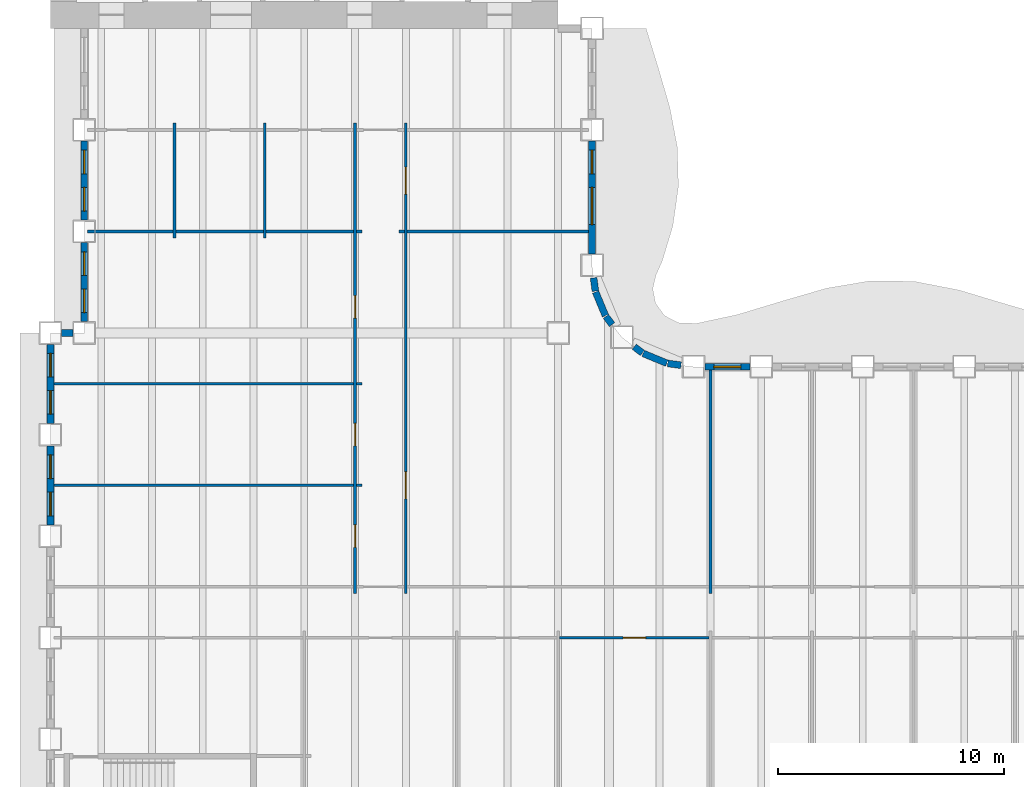
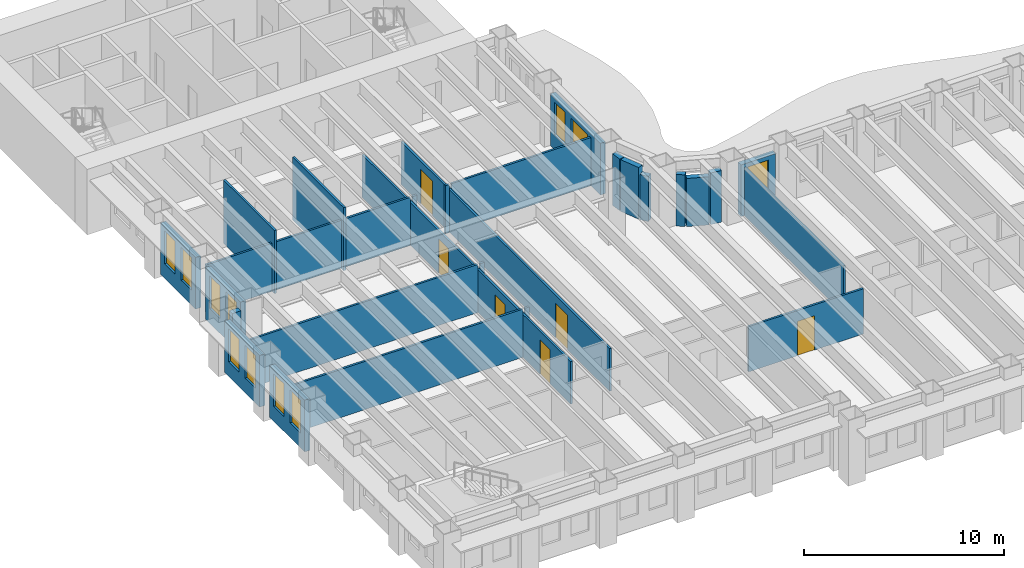
# One storey, part 4 of 16: 29 walls, 11 windows, 6 doors, 17 openings.
"""IFC4 building model written with IfcOpenShell, lengths in metres."""

from ifc_helpers import new_model, si_unit, direction, frame, frame_2d, origin, place, context, subcontext, project, spatial, rectangle, extrude, material, layer, layer_set, type_object, element, fill, save


model = new_model("IFC4")

# Units and contexts
model_context = context("Model", 3, precision=1e-05, world=origin(), true_north=direction((0.0, 1.0)))
body_context = subcontext(model_context, "Body", "Model", "MODEL_VIEW")
ifc_project = project(units=[si_unit("LENGTHUNIT", "METRE"), si_unit("AREAUNIT", "SQUARE_METRE"), si_unit("VOLUMEUNIT", "CUBIC_METRE"), si_unit("PLANEANGLEUNIT", "RADIAN"), si_unit("MASSUNIT", "GRAM", prefix="KILO")], contexts=[model_context])

# Site, building, storey
site_placement = place(None, origin())
site = spatial("IfcSite", under=ifc_project, at=site_placement, CompositionType="ELEMENT")
building_placement = place(site_placement, origin())
building = spatial("IfcBuilding", under=site, at=building_placement, Name="Sennacour Bend Tower", CompositionType="ELEMENT")
storey_placement = place(building_placement, frame((0.0, 0.0, 99.0)))
storey = spatial("IfcBuildingStorey", under=building, at=storey_placement, Name="L22", CompositionType="ELEMENT", Elevation=99.0)

# Walls
ifc_material_1 = material(Name="Plasterboard partition on steel studs", Category="steel")
ifc_layer_1 = layer(ifc_material_1, 0.1201171875, Name="Plasterboard partition on steel studs", Category="steel")
ifc_layer_set_1 = layer_set([ifc_layer_1], Name="Plasterboard partition on steel studs")
wall_type_1 = type_object("IfcWallType", Name="Partition 120", PredefinedType="PARTITIONING", material=ifc_layer_set_1)
for number, where, z_axis, x_axis, name in (
    (1, (5.5, 26.699951171875, 0.0), (0.0, 0.0, 1.0), (0.0, 1.0, 0.0), "P-L22-W007a"),
    (2, (9.5, 26.699951171875, 0.0), (0.0, 0.0, 1.0), (0.0, 1.0, 0.0), "P-L22-W011a"),
):
    element("IfcWall", number, at=place(storey_placement, frame(where, z_axis=z_axis, x_axis=x_axis)), inside=storey, type_object=wall_type_1, Name=name, PredefinedType="PARTITIONING", context=body_context, shape_type="SweptSolid", body=[
        extrude(rectangle(XDim=5.10009765625, YDim=0.1201171875, at=frame_2d((2.550048828125, 0.0))), origin(), (0.0, 0.0, 1.0), 3.85009765625),
    ])

# Wall, openings, doors
wall_1_placement = place(storey_placement, frame((13.5, 10.949951171875, 0.0), z_axis=(0.0, 0.0, 1.0), x_axis=(0.0, 1.0, 0.0)))
wall_1 = element("IfcWall", 3, at=wall_1_placement, inside=storey, type_object=wall_type_1, Name="P-L22-W014a", PredefinedType="PARTITIONING", context=body_context, shape_type="SweptSolid", body=[
    extrude(rectangle(XDim=20.85009765625, YDim=0.1201171875, at=frame_2d((10.425048828125, 0.0))), origin(), (0.0, 0.0, 1.0), 2.60009765625),
])
opening_1_placement = place(wall_1_placement, frame((2.050048828125, 0.0, 0.0)))
opening_1 = element("IfcOpeningElement", 4, at=opening_1_placement, cuts=wall_1, Name="Opening OD2", PredefinedType="OPENING", context=body_context, shape_type="SweptSolid", body=[
    extrude(rectangle(XDim=1.0, YDim=2.10009765625, at=frame_2d((0.5, 1.050048828125))), frame((0.0, 0.070068359375, 0.0), z_axis=(0.0, -1.0, 0.0), x_axis=(1.0, 0.0, 0.0)), (0.0, 0.0, 1.0), 0.14013671875),
])
opening_2_placement = place(wall_1_placement, frame((6.550048828125, 0.0, 0.0)))
opening_2 = element("IfcOpeningElement", 5, at=opening_2_placement, cuts=wall_1, Name="Opening OD2", PredefinedType="OPENING", context=body_context, shape_type="SweptSolid", body=[
    extrude(rectangle(XDim=1.0, YDim=2.10009765625, at=frame_2d((0.5, 1.050048828125))), frame((0.0, 0.070068359375, 0.0), z_axis=(0.0, -1.0, 0.0), x_axis=(1.0, 0.0, 0.0)), (0.0, 0.0, 1.0), 0.14013671875),
])
opening_3_placement = place(wall_1_placement, frame((12.205078125, 0.0, 0.0)))
opening_3 = element("IfcOpeningElement", 6, at=opening_3_placement, cuts=wall_1, Name="Opening OD2", PredefinedType="OPENING", context=body_context, shape_type="SweptSolid", body=[
    extrude(rectangle(XDim=1.0, YDim=2.10009765625, at=frame_2d((0.5, 1.050048828125))), frame((0.0, 0.070068359375, 0.0), z_axis=(0.0, -1.0, 0.0), x_axis=(1.0, 0.0, 0.0)), (0.0, 0.0, 1.0), 0.14013671875),
])
ifc_material_2 = material(Name="Timber", Category="wood")
door_type_1 = type_object("IfcDoorType", Name="DR-OFFICE-1000", OperationType="NOTDEFINED", PredefinedType="DOOR", material=ifc_material_2)
door_1_placement = place(opening_1_placement, origin())
door_1 = element("IfcDoor", 7, at=door_1_placement, inside=storey, type_object=door_type_1, Name="Door", OperationType="SINGLE_SWING_LEFT", OverallHeight=2.10009765625, OverallWidth=1.0, PredefinedType="DOOR", context=body_context, shape_type="SweptSolid", body=[
    extrude(rectangle(XDim=1.0, YDim=2.10009765625, at=frame_2d((0.5, 1.050048828125))), frame((0.0, 0.02490234375, 0.0), z_axis=(0.0, -1.0, 0.0), x_axis=(1.0, 0.0, 0.0)), (0.0, 0.0, 1.0), 0.050048828125),
])
fill(opening_1, door_1)
door_2_placement = place(opening_2_placement, origin())
door_2 = element("IfcDoor", 8, at=door_2_placement, inside=storey, type_object=door_type_1, Name="Door", OperationType="SINGLE_SWING_LEFT", OverallHeight=2.10009765625, OverallWidth=1.0, PredefinedType="DOOR", context=body_context, shape_type="SweptSolid", body=[
    extrude(rectangle(XDim=1.0, YDim=2.10009765625, at=frame_2d((0.5, 1.050048828125))), frame((0.0, 0.02490234375, 0.0), z_axis=(0.0, -1.0, 0.0), x_axis=(1.0, 0.0, 0.0)), (0.0, 0.0, 1.0), 0.050048828125),
])
fill(opening_2, door_2)
door_3_placement = place(opening_3_placement, origin())
door_3 = element("IfcDoor", 9, at=door_3_placement, inside=storey, type_object=door_type_1, Name="Door", OperationType="SINGLE_SWING_RIGHT", OverallHeight=2.10009765625, OverallWidth=1.0, PredefinedType="DOOR", context=body_context, shape_type="SweptSolid", body=[
    extrude(rectangle(XDim=1.0, YDim=2.10009765625, at=frame_2d((0.5, 1.050048828125))), frame((0.0, 0.02490234375, 0.0), z_axis=(0.0, -1.0, 0.0), x_axis=(1.0, 0.0, 0.0)), (0.0, 0.0, 1.0), 0.050048828125),
])
fill(opening_3, door_3)

wall_2_placement = place(storey_placement, frame((15.75, 10.949951171875, 0.0), z_axis=(0.0, 0.0, 1.0), x_axis=(0.0, 1.0, 0.0)))
wall_2 = element("IfcWall", 10, at=wall_2_placement, inside=storey, type_object=wall_type_1, Name="P-L22-W018a", PredefinedType="PARTITIONING", context=body_context, shape_type="SweptSolid", body=[
    extrude(rectangle(XDim=20.85009765625, YDim=0.1201171875, at=frame_2d((10.425048828125, 0.0))), origin(), (0.0, 0.0, 1.0), 2.60009765625),
])
opening_4_placement = place(wall_2_placement, frame((17.699951171875, 0.0, 0.0)))
opening_4 = element("IfcOpeningElement", 11, at=opening_4_placement, cuts=wall_2, Name="Opening MD", PredefinedType="OPENING", context=body_context, shape_type="SweptSolid", body=[
    extrude(rectangle(XDim=1.199951171875, YDim=2.10009765625, at=frame_2d((0.60009765625, 1.050048828125))), frame((0.0, 0.070068359375, 0.0), z_axis=(0.0, -1.0, 0.0), x_axis=(1.0, 0.0, 0.0)), (0.0, 0.0, 1.0), 0.14013671875),
])
opening_5_placement = place(wall_2_placement, frame((4.199951171875, 0.0, 0.0)))
opening_5 = element("IfcOpeningElement", 12, at=opening_5_placement, cuts=wall_2, Name="Opening OD", PredefinedType="OPENING", context=body_context, shape_type="SweptSolid", body=[
    extrude(rectangle(XDim=1.199951171875, YDim=2.10009765625, at=frame_2d((0.60009765625, 1.050048828125))), frame((0.0, 0.070068359375, 0.0), z_axis=(0.0, -1.0, 0.0), x_axis=(1.0, 0.0, 0.0)), (0.0, 0.0, 1.0), 0.14013671875),
])
door_type_2 = type_object("IfcDoorType", Name="DR-MEETING-1200", OperationType="NOTDEFINED", PredefinedType="DOOR", material=ifc_material_2)
door_4_placement = place(opening_4_placement, origin())
door_4 = element("IfcDoor", 13, at=door_4_placement, inside=storey, type_object=door_type_2, Name="Door", OperationType="SINGLE_SWING_RIGHT", OverallHeight=2.10009765625, OverallWidth=1.199951171875, PredefinedType="DOOR", context=body_context, shape_type="SweptSolid", body=[
    extrude(rectangle(XDim=1.199951171875, YDim=2.10009765625, at=frame_2d((0.60009765625, 1.050048828125))), frame((0.0, 0.02490234375, 0.0), z_axis=(0.0, -1.0, 0.0), x_axis=(1.0, 0.0, 0.0)), (0.0, 0.0, 1.0), 0.050048828125),
])
fill(opening_4, door_4)
door_type_3 = type_object("IfcDoorType", Name="DR-OFFICE-1200", OperationType="NOTDEFINED", PredefinedType="DOOR", material=ifc_material_2)
door_5_placement = place(opening_5_placement, origin())
door_5 = element("IfcDoor", 14, at=door_5_placement, inside=storey, type_object=door_type_3, Name="Door", OperationType="SINGLE_SWING_LEFT", OverallHeight=2.10009765625, OverallWidth=1.199951171875, PredefinedType="DOOR", context=body_context, shape_type="SweptSolid", body=[
    extrude(rectangle(XDim=1.199951171875, YDim=2.10009765625, at=frame_2d((0.60009765625, 1.050048828125))), frame((0.0, 0.02490234375, 0.0), z_axis=(0.0, -1.0, 0.0), x_axis=(1.0, 0.0, 0.0)), (0.0, 0.0, 1.0), 0.050048828125),
])
fill(opening_5, door_5)

# Wall
wall_3_placement = place(storey_placement, frame((29.25, 10.949951171875, 0.0), z_axis=(0.0, 0.0, 1.0), x_axis=(0.0, 1.0, 0.0)))
element("IfcWall", 15, at=wall_3_placement, inside=storey, type_object=wall_type_1, Name="P-L22-W026a", PredefinedType="PARTITIONING", context=body_context, shape_type="SweptSolid", body=[
    extrude(rectangle(XDim=9.900146484375, YDim=0.1201171875, at=frame_2d((4.9501953125, 0.0))), origin(), (0.0, 0.0, 1.0), 2.93798828125),
])

# Wall, opening, door
wall_4_placement = place(storey_placement, frame((22.56005859375, 9.0, 0.0), z_axis=(0.0, 0.0, 1.0), x_axis=(1.0, 0.0, 0.0)))
wall_4 = element("IfcWall", 16, at=wall_4_placement, inside=storey, type_object=wall_type_1, Name="P-L22-W058ad", PredefinedType="PARTITIONING", context=body_context, shape_type="SweptSolid", body=[
    extrude(rectangle(XDim=6.6298828125, YDim=0.1201171875, at=frame_2d((3.31494140625, 0.0))), origin(), (0.0, 0.0, 1.0), 2.760009765625),
])
opening_6_placement = place(wall_4_placement, frame((2.81494140625, 0.0, 0.0)))
opening_6 = element("IfcOpeningElement", 17, at=opening_6_placement, cuts=wall_4, Name="Opening OD2", PredefinedType="OPENING", context=body_context, shape_type="SweptSolid", body=[
    extrude(rectangle(XDim=1.0, YDim=2.10009765625, at=frame_2d((0.5, 1.050048828125))), frame((0.0, 0.070068359375, 0.0), z_axis=(0.0, -1.0, 0.0), x_axis=(1.0, 0.0, 0.0)), (0.0, 0.0, 1.0), 0.14013671875),
])
door_6_placement = place(opening_6_placement, origin())
door_6 = element("IfcDoor", 18, at=door_6_placement, inside=storey, type_object=door_type_1, Name="Door", OperationType="SINGLE_SWING_LEFT", OverallHeight=2.10009765625, OverallWidth=1.0, PredefinedType="DOOR", context=body_context, shape_type="SweptSolid", body=[
    extrude(rectangle(XDim=1.0, YDim=2.10009765625, at=frame_2d((0.5, 1.050048828125))), frame((0.0, 0.02490234375, 0.0), z_axis=(0.0, -1.0, 0.0), x_axis=(1.0, 0.0, 0.0)), (0.0, 0.0, 1.0), 0.050048828125),
])
fill(opening_6, door_6)

# Walls
wall_5_placement = place(storey_placement, frame((0.14990234375, 15.75, 0.0), z_axis=(0.0, 0.0, 1.0), x_axis=(1.0, 0.0, 0.0)))
element("IfcWall", 19, at=wall_5_placement, inside=storey, type_object=wall_type_1, Name="P-L22-W066aa", PredefinedType="PARTITIONING", context=body_context, shape_type="SweptSolid", body=[
    extrude(rectangle(XDim=13.2900390625, YDim=0.1201171875, at=frame_2d((6.64501953125, 0.0))), origin(), (0.0, 0.0, 1.0), 2.93798828125),
])
wall_6_placement = place(storey_placement, frame((13.56005859375, 15.75, 0.0), z_axis=(0.0, 0.0, 1.0), x_axis=(1.0, 0.0, 0.0)))
element("IfcWall", 20, at=wall_6_placement, inside=storey, type_object=wall_type_1, Name="P-L22-W066ab", PredefinedType="PARTITIONING", context=body_context, shape_type="SweptSolid", body=[
    extrude(rectangle(XDim=0.239990234375, YDim=0.1201171875, at=frame_2d((0.1201171875, 0.0))), origin(), (0.0, 0.0, 1.0), 2.93798828125),
])
wall_7_placement = place(storey_placement, frame((0.14990234375, 20.25, 0.0), z_axis=(0.0, 0.0, 1.0), x_axis=(1.0, 0.0, 0.0)))
element("IfcWall", 21, at=wall_7_placement, inside=storey, type_object=wall_type_1, Name="P-L22-W071aa", PredefinedType="PARTITIONING", context=body_context, shape_type="SweptSolid", body=[
    extrude(rectangle(XDim=13.2900390625, YDim=0.1201171875, at=frame_2d((6.64501953125, 0.0))), origin(), (0.0, 0.0, 1.0), 2.93798828125),
])
wall_8_placement = place(storey_placement, frame((13.56005859375, 20.25, 0.0), z_axis=(0.0, 0.0, 1.0), x_axis=(1.0, 0.0, 0.0)))
element("IfcWall", 22, at=wall_8_placement, inside=storey, type_object=wall_type_1, Name="P-L22-W071ab", PredefinedType="PARTITIONING", context=body_context, shape_type="SweptSolid", body=[
    extrude(rectangle(XDim=0.239990234375, YDim=0.1201171875, at=frame_2d((0.1201171875, 0.0))), origin(), (0.0, 0.0, 1.0), 2.93798828125),
])
wall_9_placement = place(storey_placement, frame((1.64990234375, 27.0, 0.0), z_axis=(0.0, 0.0, 1.0), x_axis=(1.0, 0.0, 0.0)))
element("IfcWall", 23, at=wall_9_placement, inside=storey, type_object=wall_type_1, Name="P-L22-W074aa", PredefinedType="PARTITIONING", context=body_context, shape_type="SweptSolid", body=[
    extrude(rectangle(XDim=3.7900390625, YDim=0.1201171875, at=frame_2d((1.89501953125, 0.0))), origin(), (0.0, 0.0, 1.0), 2.93798828125),
])
for number, where, z_axis, x_axis, name in (
    (24, (5.56005859375, 27.0, 0.0), (0.0, 0.0, 1.0), (1.0, 0.0, 0.0), "P-L22-W074ab"),
    (25, (9.56005859375, 27.0, 0.0), (0.0, 0.0, 1.0), (1.0, 0.0, 0.0), "P-L22-W074ac"),
):
    element("IfcWall", number, at=place(storey_placement, frame(where, z_axis=z_axis, x_axis=x_axis)), inside=storey, type_object=wall_type_1, Name=name, PredefinedType="PARTITIONING", context=body_context, shape_type="SweptSolid", body=[
        extrude(rectangle(XDim=3.8798828125, YDim=0.1201171875, at=frame_2d((1.93994140625, 0.0))), origin(), (0.0, 0.0, 1.0), 2.93798828125),
    ])
for number, where, z_axis, x_axis, name in (
    (26, (13.56005859375, 27.0, 0.0), (0.0, 0.0, 1.0), (1.0, 0.0, 0.0), "P-L22-W074ad"),
    (27, (15.449951171875, 27.0, 0.0), (0.0, 0.0, 1.0), (1.0, 0.0, 0.0), "P-L22-W075aa"),
):
    element("IfcWall", number, at=place(storey_placement, frame(where, z_axis=z_axis, x_axis=x_axis)), inside=storey, type_object=wall_type_1, Name=name, PredefinedType="PARTITIONING", context=body_context, shape_type="SweptSolid", body=[
        extrude(rectangle(XDim=0.239990234375, YDim=0.1201171875, at=frame_2d((0.1201171875, 0.0))), origin(), (0.0, 0.0, 1.0), 2.93798828125),
    ])
wall_10_placement = place(storey_placement, frame((15.81005859375, 27.0, 0.0), z_axis=(0.0, 0.0, 1.0), x_axis=(1.0, 0.0, 0.0)))
element("IfcWall", 28, at=wall_10_placement, inside=storey, type_object=wall_type_1, Name="P-L22-W075ab", PredefinedType="PARTITIONING", context=body_context, shape_type="SweptSolid", body=[
    extrude(rectangle(XDim=8.0400390625, YDim=0.1201171875, at=frame_2d((4.02001953125, 0.0))), origin(), (0.0, 0.0, 1.0), 2.93798828125),
])

# Wall, opening, window
ifc_material_3 = material(Name="Warm limestone cladding", Category="masonry")
ifc_layer_2 = layer(ifc_material_3, 0.050048828125, Name="Warm limestone cladding", Category="masonry")
ifc_material_4 = material(Name="Precast concrete C40/50", Category="concrete")
ifc_layer_3 = layer(ifc_material_4, 0.25, Name="Precast concrete C40/50", Category="concrete")
ifc_layer_set_2 = layer_set([ifc_layer_2, ifc_layer_3], Name="Precast concrete C40/50 with limestone cladding")
wall_type_2 = type_object("IfcWallType", Name="STONE-CLAD PRECAST SPANDREL 300", PredefinedType="STANDARD", material=ifc_layer_set_2)
wall_11_placement = place(storey_placement, frame((31.0, 21.0, 0.0), z_axis=(0.0, 0.0, 1.0), x_axis=(-1.0, 0.0, 0.0)))
wall_11 = element("IfcWall", 29, at=wall_11_placement, inside=storey, type_object=wall_type_2, Name="Stone spandrel and pier wall L22 06.05", PredefinedType="STANDARD", context=body_context, shape_type="SweptSolid", body=[
    extrude(rectangle(XDim=2.0, YDim=0.300048828125, at=frame_2d((1.0, 0.0))), origin(), (0.0, 0.0, 1.0), 3.154052734375),
])
opening_7_placement = place(wall_11_placement, frame((0.39990234375, 0.0, 0.89990234375)))
opening_7 = element("IfcOpeningElement", 30, at=opening_7_placement, cuts=wall_11, Name="Opening W14", PredefinedType="OPENING", context=body_context, shape_type="SweptSolid", body=[
    extrude(rectangle(XDim=1.199951171875, YDim=2.0, at=frame_2d((0.60009765625, 1.0))), frame((0.0, 0.16015625, 0.0), z_axis=(0.0, -1.0, 0.0), x_axis=(1.0, 0.0, 0.0)), (0.0, 0.0, 1.0), 0.320068359375),
])
ifc_material_5 = material(Name="Clear low-emissivity glass", Category="glass")
window_type_1 = type_object("IfcWindowType", Name="WIN-RIBBON-1200x2000", PartitioningType="SINGLE_PANEL", PredefinedType="WINDOW", material=ifc_material_5)
window_1_placement = place(opening_7_placement, origin())
window_1 = element("IfcWindow", 31, at=window_1_placement, inside=storey, type_object=window_type_1, Name="Ribbon window L22 06.05", OverallHeight=2.0, OverallWidth=1.199951171875, PartitioningType="SINGLE_PANEL", PredefinedType="WINDOW", context=body_context, shape_type="SweptSolid", body=[
    extrude(rectangle(XDim=1.199951171875, YDim=2.0, at=frame_2d((0.60009765625, 1.0))), frame((0.0, 0.030029296875, 0.0), z_axis=(0.0, -1.0, 0.0), x_axis=(1.0, 0.0, 0.0)), (0.0, 0.0, 1.0), 0.06005859375),
])
fill(opening_7, window_1)

# Walls
wall_12_placement = place(storey_placement, frame((27.94384765625, 21.0732421875, 0.0), z_axis=(0.0, 0.0, 1.0), x_axis=(-0.991420685839, 0.130709692412, 0.0)))
element("IfcWall", 32, at=wall_12_placement, inside=storey, type_object=wall_type_2, Name="Stone spandrel and pier wall L22 07.00", PredefinedType="STANDARD", context=body_context, shape_type="SweptSolid", body=[
    extrude(rectangle(XDim=0.593994140625, YDim=0.300048828125, at=frame_2d((0.296875, 0.0))), origin(), (0.0, 0.0, 1.0), 3.154052734375),
])
wall_13_placement = place(storey_placement, frame((27.317138671875, 21.160888671875, 0.0), z_axis=(0.0, 0.0, 1.0), x_axis=(-0.923914616768, 0.382598720491, 0.0)))
element("IfcWall", 33, at=wall_13_placement, inside=storey, type_object=wall_type_2, Name="Stone spandrel and pier wall L22 08.00", PredefinedType="STANDARD", context=body_context, shape_type="SweptSolid", body=[
    extrude(rectangle(XDim=1.13525390625, YDim=0.300048828125, at=frame_2d((0.567626953125, 0.0))), origin(), (0.0, 0.0, 1.0), 2.93798828125),
])
wall_14_placement = place(storey_placement, frame((26.234375, 21.614990234375, 0.0), z_axis=(0.0, 0.0, 1.0), x_axis=(-0.793563062559, 0.608488016104, 0.0)))
element("IfcWall", 34, at=wall_14_placement, inside=storey, type_object=wall_type_2, Name="Stone spandrel and pier wall L22 09.00", PredefinedType="STANDARD", context=body_context, shape_type="SweptSolid", body=[
    extrude(rectangle(XDim=0.453857421875, YDim=0.300048828125, at=frame_2d((0.22705078125, 0.0))), origin(), (0.0, 0.0, 1.0), 3.154052734375),
])
wall_15_placement = place(storey_placement, frame((24.89111328125, 22.874267578125, 0.0), z_axis=(0.0, 0.0, 1.0), x_axis=(-0.608488016104, 0.793563062559, 0.0)))
element("IfcWall", 35, at=wall_15_placement, inside=storey, type_object=wall_type_2, Name="Stone spandrel and pier wall L22 10.00", PredefinedType="STANDARD", context=body_context, shape_type="SweptSolid", body=[
    extrude(rectangle(XDim=0.453857421875, YDim=0.300048828125, at=frame_2d((0.22705078125, 0.0))), origin(), (0.0, 0.0, 1.0), 2.760009765625),
])
wall_16_placement = place(storey_placement, frame((24.59521484375, 23.268310546875, 0.0), z_axis=(0.0, 0.0, 1.0), x_axis=(-0.382598720491, 0.923914616768, 0.0)))
element("IfcWall", 36, at=wall_16_placement, inside=storey, type_object=wall_type_2, Name="Stone spandrel and pier wall L22 11.00", PredefinedType="STANDARD", context=body_context, shape_type="SweptSolid", body=[
    extrude(rectangle(XDim=1.13525390625, YDim=0.300048828125, at=frame_2d((0.567626953125, 0.0))), origin(), (0.0, 0.0, 1.0), 3.154052734375),
])
wall_17_placement = place(storey_placement, frame((24.15087890625, 24.35498046875, 0.0), z_axis=(0.0, 0.0, 1.0), x_axis=(-0.130709692412, 0.991420685839, 0.0)))
element("IfcWall", 37, at=wall_17_placement, inside=storey, type_object=wall_type_2, Name="Stone spandrel and pier wall L22 12.00", PredefinedType="STANDARD", context=body_context, shape_type="SweptSolid", body=[
    extrude(rectangle(XDim=0.593994140625, YDim=0.300048828125, at=frame_2d((0.296875, 0.0))), origin(), (0.0, 0.0, 1.0), 3.154052734375),
])

# Wall, openings, windows
wall_18_placement = place(storey_placement, frame((24.0, 26.0, 0.0), z_axis=(0.0, 0.0, 1.0), x_axis=(0.0, 1.0, 0.0)))
wall_18 = element("IfcWall", 38, at=wall_18_placement, inside=storey, type_object=wall_type_2, Name="Stone spandrel and pier wall L22 13.00", PredefinedType="STANDARD", context=body_context, shape_type="SweptSolid", body=[
    extrude(rectangle(XDim=5.0, YDim=0.300048828125, at=frame_2d((2.5, 0.0))), origin(), (0.0, 0.0, 1.0), 3.154052734375),
])
opening_8_placement = place(wall_18_placement, frame((1.300048828125, 0.0, 0.89990234375)))
opening_8 = element("IfcOpeningElement", 39, at=opening_8_placement, cuts=wall_18, Name="Opening W10", PredefinedType="OPENING", context=body_context, shape_type="SweptSolid", body=[
    extrude(rectangle(XDim=1.64990234375, YDim=2.0, at=frame_2d((0.824951171875, 1.0))), frame((0.0, 0.16015625, 0.0), z_axis=(0.0, -1.0, 0.0), x_axis=(1.0, 0.0, 0.0)), (0.0, 0.0, 1.0), 0.320068359375),
])
opening_9_placement = place(wall_18_placement, frame((3.550048828125, 0.0, 0.89990234375)))
opening_9 = element("IfcOpeningElement", 40, at=opening_9_placement, cuts=wall_18, Name="Opening W13", PredefinedType="OPENING", context=body_context, shape_type="SweptSolid", body=[
    extrude(rectangle(XDim=1.050048828125, YDim=2.0, at=frame_2d((0.52490234375, 1.0))), frame((0.0, 0.16015625, 0.0), z_axis=(0.0, -1.0, 0.0), x_axis=(1.0, 0.0, 0.0)), (0.0, 0.0, 1.0), 0.320068359375),
])
window_type_2 = type_object("IfcWindowType", Name="WIN-RIBBON-1050x2000", PartitioningType="SINGLE_PANEL", PredefinedType="WINDOW", material=ifc_material_5)
window_2_placement = place(opening_9_placement, origin())
window_2 = element("IfcWindow", 41, at=window_2_placement, inside=storey, type_object=window_type_2, Name="Ribbon window L22 13.00.1", OverallHeight=2.0, OverallWidth=1.050048828125, PartitioningType="SINGLE_PANEL", PredefinedType="WINDOW", context=body_context, shape_type="SweptSolid", body=[
    extrude(rectangle(XDim=1.050048828125, YDim=2.0, at=frame_2d((0.52490234375, 1.0))), frame((0.0, 0.030029296875, 0.0), z_axis=(0.0, -1.0, 0.0), x_axis=(1.0, 0.0, 0.0)), (0.0, 0.0, 1.0), 0.06005859375),
])
fill(opening_9, window_2)
window_type_3 = type_object("IfcWindowType", Name="WIN-RIBBON-1650x2000", PartitioningType="SINGLE_PANEL", PredefinedType="WINDOW", material=ifc_material_5)
window_3_placement = place(opening_8_placement, origin())
window_3 = element("IfcWindow", 42, at=window_3_placement, inside=storey, type_object=window_type_3, Name="Ribbon window L22 13.00.0", OverallHeight=2.0, OverallWidth=1.64990234375, PartitioningType="SINGLE_PANEL", PredefinedType="WINDOW", context=body_context, shape_type="SweptSolid", body=[
    extrude(rectangle(XDim=1.64990234375, YDim=2.0, at=frame_2d((0.824951171875, 1.0))), frame((0.0, 0.030029296875, 0.0), z_axis=(0.0, -1.0, 0.0), x_axis=(1.0, 0.0, 0.0)), (0.0, 0.0, 1.0), 0.06005859375),
])
fill(opening_8, window_3)

wall_19_placement = place(storey_placement, frame((1.5, 31.0, 0.0), z_axis=(0.0, 0.0, 1.0), x_axis=(0.0, -1.0, 0.0)))
wall_19 = element("IfcWall", 43, at=wall_19_placement, inside=storey, type_object=wall_type_2, Name="Stone spandrel and pier wall L22 19.01", PredefinedType="STANDARD", context=body_context, shape_type="SweptSolid", body=[
    extrude(rectangle(XDim=3.5, YDim=0.300048828125, at=frame_2d((1.75, 0.0))), origin(), (0.0, 0.0, 1.0), 3.154052734375),
])
opening_10_placement = place(wall_19_placement, frame((0.39990234375, 0.0, 0.89990234375)))
opening_10 = element("IfcOpeningElement", 44, at=opening_10_placement, cuts=wall_19, Name="Opening W13", PredefinedType="OPENING", context=body_context, shape_type="SweptSolid", body=[
    extrude(rectangle(XDim=1.050048828125, YDim=2.0, at=frame_2d((0.52490234375, 1.0))), frame((0.0, 0.16015625, 0.0), z_axis=(0.0, -1.0, 0.0), x_axis=(1.0, 0.0, 0.0)), (0.0, 0.0, 1.0), 0.320068359375),
])
opening_11_placement = place(wall_19_placement, frame((2.050048828125, 0.0, 0.89990234375)))
opening_11 = element("IfcOpeningElement", 45, at=opening_11_placement, cuts=wall_19, Name="Opening W13", PredefinedType="OPENING", context=body_context, shape_type="SweptSolid", body=[
    extrude(rectangle(XDim=1.050048828125, YDim=2.0, at=frame_2d((0.52490234375, 1.0))), frame((0.0, 0.16015625, 0.0), z_axis=(0.0, -1.0, 0.0), x_axis=(1.0, 0.0, 0.0)), (0.0, 0.0, 1.0), 0.320068359375),
])
window_4_placement = place(opening_10_placement, origin())
window_4 = element("IfcWindow", 46, at=window_4_placement, inside=storey, type_object=window_type_2, Name="Ribbon window L22 19.01.0", OverallHeight=2.0, OverallWidth=1.050048828125, PartitioningType="SINGLE_PANEL", PredefinedType="WINDOW", context=body_context, shape_type="SweptSolid", body=[
    extrude(rectangle(XDim=1.050048828125, YDim=2.0, at=frame_2d((0.52490234375, 1.0))), frame((0.0, 0.030029296875, 0.0), z_axis=(0.0, -1.0, 0.0), x_axis=(1.0, 0.0, 0.0)), (0.0, 0.0, 1.0), 0.06005859375),
])
fill(opening_10, window_4)
window_5_placement = place(opening_11_placement, origin())
window_5 = element("IfcWindow", 47, at=window_5_placement, inside=storey, type_object=window_type_2, Name="Ribbon window L22 19.01.1", OverallHeight=2.0, OverallWidth=1.050048828125, PartitioningType="SINGLE_PANEL", PredefinedType="WINDOW", context=body_context, shape_type="SweptSolid", body=[
    extrude(rectangle(XDim=1.050048828125, YDim=2.0, at=frame_2d((0.52490234375, 1.0))), frame((0.0, 0.030029296875, 0.0), z_axis=(0.0, -1.0, 0.0), x_axis=(1.0, 0.0, 0.0)), (0.0, 0.0, 1.0), 0.06005859375),
])
fill(opening_11, window_5)

wall_20_placement = place(storey_placement, frame((1.5, 26.5, 0.0), z_axis=(0.0, 0.0, 1.0), x_axis=(0.0, -1.0, 0.0)))
wall_20 = element("IfcWall", 48, at=wall_20_placement, inside=storey, type_object=wall_type_2, Name="Stone spandrel and pier wall L22 19.02", PredefinedType="STANDARD", context=body_context, shape_type="SweptSolid", body=[
    extrude(rectangle(XDim=3.5, YDim=0.300048828125, at=frame_2d((1.75, 0.0))), origin(), (0.0, 0.0, 1.0), 3.154052734375),
])
opening_12_placement = place(wall_20_placement, frame((0.39990234375, 0.0, 0.89990234375)))
opening_12 = element("IfcOpeningElement", 49, at=opening_12_placement, cuts=wall_20, Name="Opening W13", PredefinedType="OPENING", context=body_context, shape_type="SweptSolid", body=[
    extrude(rectangle(XDim=1.050048828125, YDim=2.0, at=frame_2d((0.52490234375, 1.0))), frame((0.0, 0.16015625, 0.0), z_axis=(0.0, -1.0, 0.0), x_axis=(1.0, 0.0, 0.0)), (0.0, 0.0, 1.0), 0.320068359375),
])
opening_13_placement = place(wall_20_placement, frame((2.050048828125, 0.0, 0.89990234375)))
opening_13 = element("IfcOpeningElement", 50, at=opening_13_placement, cuts=wall_20, Name="Opening W13", PredefinedType="OPENING", context=body_context, shape_type="SweptSolid", body=[
    extrude(rectangle(XDim=1.050048828125, YDim=2.0, at=frame_2d((0.52490234375, 1.0))), frame((0.0, 0.16015625, 0.0), z_axis=(0.0, -1.0, 0.0), x_axis=(1.0, 0.0, 0.0)), (0.0, 0.0, 1.0), 0.320068359375),
])
window_6_placement = place(opening_12_placement, origin())
window_6 = element("IfcWindow", 51, at=window_6_placement, inside=storey, type_object=window_type_2, Name="Ribbon window L22 19.02.0", OverallHeight=2.0, OverallWidth=1.050048828125, PartitioningType="SINGLE_PANEL", PredefinedType="WINDOW", context=body_context, shape_type="SweptSolid", body=[
    extrude(rectangle(XDim=1.050048828125, YDim=2.0, at=frame_2d((0.52490234375, 1.0))), frame((0.0, 0.030029296875, 0.0), z_axis=(0.0, -1.0, 0.0), x_axis=(1.0, 0.0, 0.0)), (0.0, 0.0, 1.0), 0.06005859375),
])
fill(opening_12, window_6)
window_7_placement = place(opening_13_placement, origin())
window_7 = element("IfcWindow", 52, at=window_7_placement, inside=storey, type_object=window_type_2, Name="Ribbon window L22 19.02.1", OverallHeight=2.0, OverallWidth=1.050048828125, PartitioningType="SINGLE_PANEL", PredefinedType="WINDOW", context=body_context, shape_type="SweptSolid", body=[
    extrude(rectangle(XDim=1.050048828125, YDim=2.0, at=frame_2d((0.52490234375, 1.0))), frame((0.0, 0.030029296875, 0.0), z_axis=(0.0, -1.0, 0.0), x_axis=(1.0, 0.0, 0.0)), (0.0, 0.0, 1.0), 0.06005859375),
])
fill(opening_13, window_7)

# Wall
wall_21_placement = place(storey_placement, frame((1.0, 22.5, 0.0), z_axis=(0.0, 0.0, 1.0), x_axis=(-1.0, 0.0, 0.0)))
element("IfcWall", 53, at=wall_21_placement, inside=storey, type_object=wall_type_2, Name="Stone spandrel and pier wall L22 20.00", PredefinedType="STANDARD", context=body_context, shape_type="SweptSolid", body=[
    extrude(rectangle(XDim=0.5, YDim=0.300048828125, at=frame_2d((0.25, 0.0))), origin(), (0.0, 0.0, 1.0), 3.154052734375),
])

# Wall, openings, windows
wall_22_placement = place(storey_placement, frame((0.0, 22.0, 0.0), z_axis=(0.0, 0.0, 1.0), x_axis=(0.0, -1.0, 0.0)))
wall_22 = element("IfcWall", 54, at=wall_22_placement, inside=storey, type_object=wall_type_2, Name="Stone spandrel and pier wall L22 21.00", PredefinedType="STANDARD", context=body_context, shape_type="SweptSolid", body=[
    extrude(rectangle(XDim=3.5, YDim=0.300048828125, at=frame_2d((1.75, 0.0))), origin(), (0.0, 0.0, 1.0), 3.154052734375),
])
opening_14_placement = place(wall_22_placement, frame((0.39990234375, 0.0, 0.89990234375)))
opening_14 = element("IfcOpeningElement", 55, at=opening_14_placement, cuts=wall_22, Name="Opening W13", PredefinedType="OPENING", context=body_context, shape_type="SweptSolid", body=[
    extrude(rectangle(XDim=1.050048828125, YDim=2.0, at=frame_2d((0.52490234375, 1.0))), frame((0.0, 0.16015625, 0.0), z_axis=(0.0, -1.0, 0.0), x_axis=(1.0, 0.0, 0.0)), (0.0, 0.0, 1.0), 0.320068359375),
])
opening_15_placement = place(wall_22_placement, frame((2.050048828125, 0.0, 0.89990234375)))
opening_15 = element("IfcOpeningElement", 56, at=opening_15_placement, cuts=wall_22, Name="Opening W13", PredefinedType="OPENING", context=body_context, shape_type="SweptSolid", body=[
    extrude(rectangle(XDim=1.050048828125, YDim=2.0, at=frame_2d((0.52490234375, 1.0))), frame((0.0, 0.16015625, 0.0), z_axis=(0.0, -1.0, 0.0), x_axis=(1.0, 0.0, 0.0)), (0.0, 0.0, 1.0), 0.320068359375),
])
window_8_placement = place(opening_14_placement, origin())
window_8 = element("IfcWindow", 57, at=window_8_placement, inside=storey, type_object=window_type_2, Name="Ribbon window L22 21.00.0", OverallHeight=2.0, OverallWidth=1.050048828125, PartitioningType="SINGLE_PANEL", PredefinedType="WINDOW", context=body_context, shape_type="SweptSolid", body=[
    extrude(rectangle(XDim=1.050048828125, YDim=2.0, at=frame_2d((0.52490234375, 1.0))), frame((0.0, 0.030029296875, 0.0), z_axis=(0.0, -1.0, 0.0), x_axis=(1.0, 0.0, 0.0)), (0.0, 0.0, 1.0), 0.06005859375),
])
fill(opening_14, window_8)
window_9_placement = place(opening_15_placement, origin())
window_9 = element("IfcWindow", 58, at=window_9_placement, inside=storey, type_object=window_type_2, Name="Ribbon window L22 21.00.1", OverallHeight=2.0, OverallWidth=1.050048828125, PartitioningType="SINGLE_PANEL", PredefinedType="WINDOW", context=body_context, shape_type="SweptSolid", body=[
    extrude(rectangle(XDim=1.050048828125, YDim=2.0, at=frame_2d((0.52490234375, 1.0))), frame((0.0, 0.030029296875, 0.0), z_axis=(0.0, -1.0, 0.0), x_axis=(1.0, 0.0, 0.0)), (0.0, 0.0, 1.0), 0.06005859375),
])
fill(opening_15, window_9)

wall_23_placement = place(storey_placement, frame((0.0, 17.5, 0.0), z_axis=(0.0, 0.0, 1.0), x_axis=(0.0, -1.0, 0.0)))
wall_23 = element("IfcWall", 59, at=wall_23_placement, inside=storey, type_object=wall_type_2, Name="Stone spandrel and pier wall L22 21.01", PredefinedType="STANDARD", context=body_context, shape_type="SweptSolid", body=[
    extrude(rectangle(XDim=3.5, YDim=0.300048828125, at=frame_2d((1.75, 0.0))), origin(), (0.0, 0.0, 1.0), 3.154052734375),
])
opening_16_placement = place(wall_23_placement, frame((0.39990234375, 0.0, 0.89990234375)))
opening_16 = element("IfcOpeningElement", 60, at=opening_16_placement, cuts=wall_23, Name="Opening W13", PredefinedType="OPENING", context=body_context, shape_type="SweptSolid", body=[
    extrude(rectangle(XDim=1.050048828125, YDim=2.0, at=frame_2d((0.52490234375, 1.0))), frame((0.0, 0.16015625, 0.0), z_axis=(0.0, -1.0, 0.0), x_axis=(1.0, 0.0, 0.0)), (0.0, 0.0, 1.0), 0.320068359375),
])
opening_17_placement = place(wall_23_placement, frame((2.050048828125, 0.0, 0.89990234375)))
opening_17 = element("IfcOpeningElement", 61, at=opening_17_placement, cuts=wall_23, Name="Opening W13", PredefinedType="OPENING", context=body_context, shape_type="SweptSolid", body=[
    extrude(rectangle(XDim=1.050048828125, YDim=2.0, at=frame_2d((0.52490234375, 1.0))), frame((0.0, 0.16015625, 0.0), z_axis=(0.0, -1.0, 0.0), x_axis=(1.0, 0.0, 0.0)), (0.0, 0.0, 1.0), 0.320068359375),
])
window_10_placement = place(opening_16_placement, origin())
window_10 = element("IfcWindow", 62, at=window_10_placement, inside=storey, type_object=window_type_2, Name="Ribbon window L22 21.01.0", OverallHeight=2.0, OverallWidth=1.050048828125, PartitioningType="SINGLE_PANEL", PredefinedType="WINDOW", context=body_context, shape_type="SweptSolid", body=[
    extrude(rectangle(XDim=1.050048828125, YDim=2.0, at=frame_2d((0.52490234375, 1.0))), frame((0.0, 0.030029296875, 0.0), z_axis=(0.0, -1.0, 0.0), x_axis=(1.0, 0.0, 0.0)), (0.0, 0.0, 1.0), 0.06005859375),
])
fill(opening_16, window_10)
window_11_placement = place(opening_17_placement, origin())
window_11 = element("IfcWindow", 63, at=window_11_placement, inside=storey, type_object=window_type_2, Name="Ribbon window L22 21.01.1", OverallHeight=2.0, OverallWidth=1.050048828125, PartitioningType="SINGLE_PANEL", PredefinedType="WINDOW", context=body_context, shape_type="SweptSolid", body=[
    extrude(rectangle(XDim=1.050048828125, YDim=2.0, at=frame_2d((0.52490234375, 1.0))), frame((0.0, 0.030029296875, 0.0), z_axis=(0.0, -1.0, 0.0), x_axis=(1.0, 0.0, 0.0)), (0.0, 0.0, 1.0), 0.06005859375),
])
fill(opening_17, window_11)

save(model, "model.ifc")
